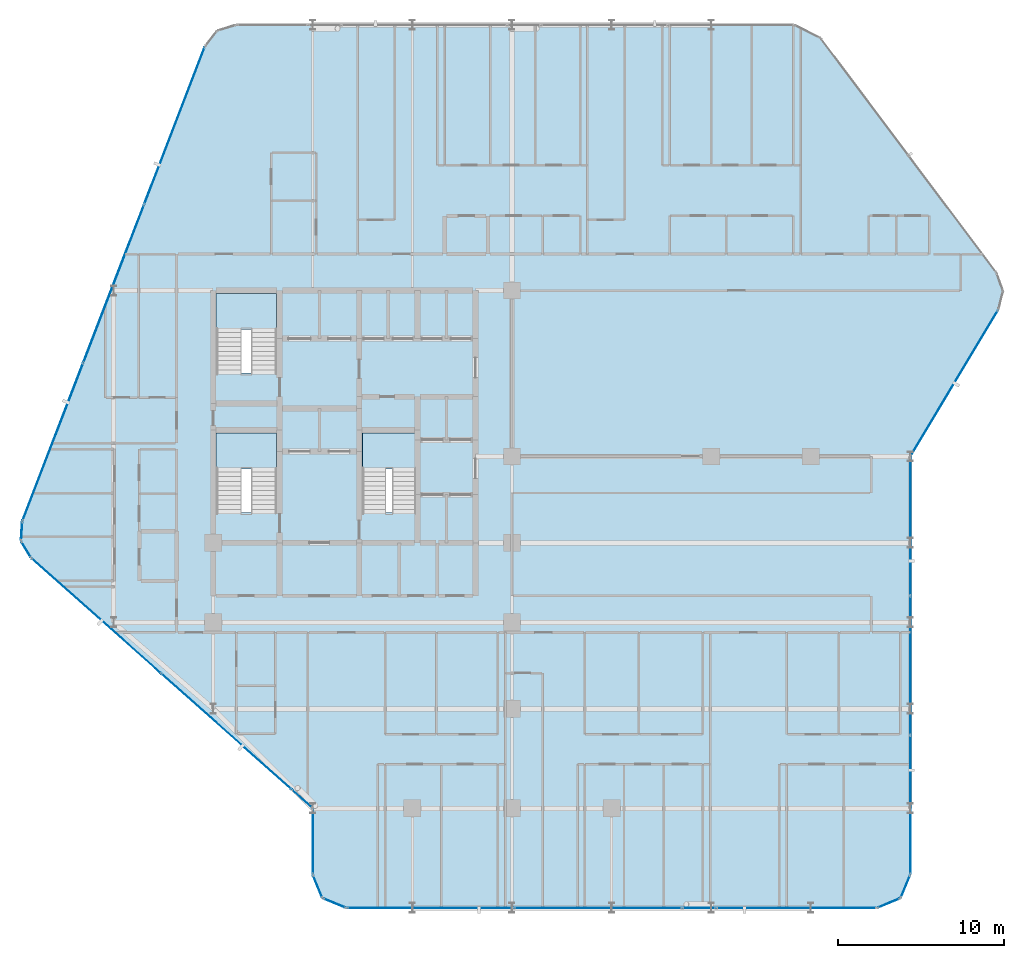
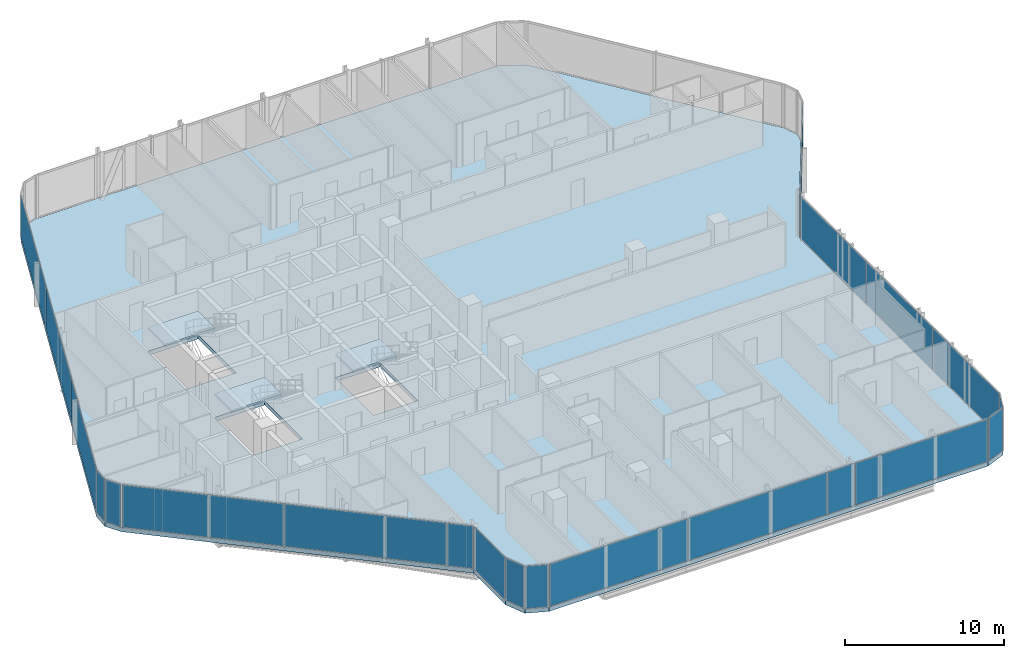
# One storey, part 21 of 29: 21 plates, 4 slabs, 18 elements without a shape of their own.
"""IFC4 building model written with IfcOpenShell, lengths in metres."""

from ifc_helpers import new_model, si_unit, direction, frame, origin, origin_2d, place, context, subcontext, project, spatial, polyline, rectangle, outline, extrude, material, layer, layer_set, type_object, element, aggregate, save


model = new_model("IFC4")

# Units and contexts
model_context = context("Model", 3, precision=1e-05, world=origin(), true_north=direction((0.0, 1.0)))
body_context = subcontext(model_context, "Body", "Model", "MODEL_VIEW")
ifc_project = project(units=[si_unit("LENGTHUNIT", "METRE"), si_unit("AREAUNIT", "SQUARE_METRE"), si_unit("VOLUMEUNIT", "CUBIC_METRE"), si_unit("PLANEANGLEUNIT", "RADIAN"), si_unit("MASSUNIT", "GRAM", prefix="KILO")], contexts=[model_context])

# Site, building, storey
site_placement = place(None, origin())
site = spatial("IfcSite", under=ifc_project, at=site_placement, CompositionType="ELEMENT")
building_placement = place(site_placement, origin())
building = spatial("IfcBuilding", under=site, at=building_placement, Name="Keshet Zoharim Tower", CompositionType="ELEMENT")
storey_placement = place(building_placement, frame((0.0, 0.0, 94.60009765625)))
storey = spatial("IfcBuildingStorey", under=building, at=storey_placement, Name="L22", CompositionType="ELEMENT", Elevation=94.60009765625)

# Curtain wall, plate
ifc_material_1 = material(Name="Aluminium 6063-T6", Category="aluminium")
ifc_layer_1 = layer(ifc_material_1, 0.159912109375)
ifc_layer_set_1 = layer_set([ifc_layer_1], Name="Aluminium 6063-T6")
curtain_wall_type = type_object("IfcCurtainWallType", Name="CW-SYS-03", PredefinedType="NOTDEFINED", material=ifc_layer_set_1)
curtain_wall_1_placement = place(storey_placement, origin())
curtain_wall_1 = element("IfcCurtainWall", 1, at=curtain_wall_1_placement, inside=storey, type_object=curtain_wall_type, Name="L22 Unitised Curtain Wall 01", PredefinedType="NOTDEFINED")
ifc_material_2 = material(Name="Insulated Low-E Clear Glass", Category="glass")
ifc_layer_2 = layer(ifc_material_2, 0.035888671875)
ifc_layer_set_2 = layer_set([ifc_layer_2], Name="Insulated Low-E Clear Glass")
plate_type_1 = type_object("IfcPlateType", Name="CWP-01", PredefinedType="CURTAIN_PANEL", material=ifc_layer_set_2)
plate_1_placement = place(storey_placement, frame((56.70703125, 1.992919921875, 0.06982421875), z_axis=(0.0, 0.0, 1.0), x_axis=(-0.382851849847, -0.92380975372, 0.0)))
plate_1 = element("IfcPlate", 2, at=plate_1_placement, type_object=plate_type_1, Name="CW-03 panel 1.1", PredefinedType="CURTAIN_PANEL", context=body_context, shape_type="SweptSolid", body=[
    extrude(rectangle(XDim=1.390625, YDim=0.035888671875, at=origin_2d()), origin(), (0.0, 0.0, 1.0), 3.2451171875),
])
aggregate(curtain_wall_1, [plate_1])

curtain_wall_2_placement = place(storey_placement, origin())
curtain_wall_2 = element("IfcCurtainWall", 3, at=curtain_wall_2_placement, inside=storey, type_object=curtain_wall_type, Name="L22 Unitised Curtain Wall 02", PredefinedType="NOTDEFINED")
plate_2_placement = place(storey_placement, frame((55.70703125, 0.992919921875, 0.06982421875), z_axis=(0.0, 0.0, 1.0), x_axis=(-0.92380975372, -0.382851849847, 0.0)))
plate_2 = element("IfcPlate", 4, at=plate_2_placement, type_object=plate_type_1, Name="CW-03 panel 1.1", PredefinedType="CURTAIN_PANEL", context=body_context, shape_type="SweptSolid", body=[
    extrude(rectangle(XDim=1.390625, YDim=0.035888671875, at=origin_2d()), origin(), (0.0, 0.0, 1.0), 3.2451171875),
])
aggregate(curtain_wall_2, [plate_2])

curtain_wall_3_placement = place(storey_placement, origin())
curtain_wall_3 = element("IfcCurtainWall", 5, at=curtain_wall_3_placement, inside=storey, type_object=curtain_wall_type, Name="L22 Unitised Curtain Wall 03", PredefinedType="NOTDEFINED")
plate_3_placement = place(storey_placement, frame((50.13134765625, 0.699951171875, 0.06982421875), z_axis=(0.0, 0.0, 1.0), x_axis=(-1.0, 0.0, 0.0)))
plate_3 = element("IfcPlate", 6, at=plate_3_placement, type_object=plate_type_1, Name="CW-03 panel 1.1", PredefinedType="CURTAIN_PANEL", context=body_context, shape_type="SweptSolid", body=[
    extrude(rectangle(XDim=9.597412109375, YDim=0.035888671875, at=origin_2d()), origin(), (0.0, 0.0, 1.0), 3.2451171875),
])
aggregate(curtain_wall_3, [plate_3])

# Curtain wall, plates
curtain_wall_4_placement = place(storey_placement, origin())
curtain_wall_4 = element("IfcCurtainWall", 7, at=curtain_wall_4_placement, inside=storey, type_object=curtain_wall_type, Name="L22 Unitised Curtain Wall 03 Part 3", PredefinedType="NOTDEFINED")
plate_4_placement = place(storey_placement, frame((38.195556640625, 0.699951171875, 0.06982421875), z_axis=(0.0, 0.0, 1.0), x_axis=(-1.0, 0.0, 0.0)))
plate_4 = element("IfcPlate", 8, at=plate_4_placement, type_object=plate_type_1, Name="CW-03 panel 1.1", PredefinedType="CURTAIN_PANEL", context=body_context, shape_type="SweptSolid", body=[
    extrude(rectangle(XDim=10.083740234375, YDim=0.035888671875, at=origin_2d()), origin(), (0.0, 0.0, 1.0), 3.2451171875),
])
plate_5_placement = place(storey_placement, frame((28.076904296875, 0.699951171875, 0.06982421875), z_axis=(0.0, 0.0, 1.0), x_axis=(-1.0, 0.0, 0.0)))
plate_5 = element("IfcPlate", 9, at=plate_5_placement, type_object=plate_type_1, Name="CW-03 panel 2.1", PredefinedType="CURTAIN_PANEL", context=body_context, shape_type="SweptSolid", body=[
    extrude(rectangle(XDim=10.013671875, YDim=0.035888671875, at=origin_2d()), origin(), (0.0, 0.0, 1.0), 3.2451171875),
])
aggregate(curtain_wall_4, [plate_4, plate_5])

# Curtain wall, plate
curtain_wall_5_placement = place(storey_placement, origin())
curtain_wall_5 = element("IfcCurtainWall", 10, at=curtain_wall_5_placement, inside=storey, type_object=curtain_wall_type, Name="L22 Unitised Curtain Wall 04", PredefinedType="NOTDEFINED")
plate_6_placement = place(storey_placement, frame((22.29296875, 0.992919921875, 0.06982421875), z_axis=(0.0, 0.0, 1.0), x_axis=(-0.92380975372, 0.382851849847, 0.0)))
plate_6 = element("IfcPlate", 11, at=plate_6_placement, type_object=plate_type_1, Name="CW-03 panel 1.1", PredefinedType="CURTAIN_PANEL", context=body_context, shape_type="SweptSolid", body=[
    extrude(rectangle(XDim=1.390625, YDim=0.035888671875, at=origin_2d()), origin(), (0.0, 0.0, 1.0), 3.2451171875),
])
aggregate(curtain_wall_5, [plate_6])

curtain_wall_6_placement = place(storey_placement, origin())
curtain_wall_6 = element("IfcCurtainWall", 12, at=curtain_wall_6_placement, inside=storey, type_object=curtain_wall_type, Name="L22 Unitised Curtain Wall 05", PredefinedType="NOTDEFINED")
plate_7_placement = place(storey_placement, frame((21.29296875, 1.992919921875, 0.06982421875), z_axis=(0.0, 0.0, 1.0), x_axis=(-0.382851849847, 0.92380975372, 0.0)))
plate_7 = element("IfcPlate", 13, at=plate_7_placement, type_object=plate_type_1, Name="CW-03 panel 1.1", PredefinedType="CURTAIN_PANEL", context=body_context, shape_type="SweptSolid", body=[
    extrude(rectangle(XDim=1.390625, YDim=0.035888671875, at=origin_2d()), origin(), (0.0, 0.0, 1.0), 3.2451171875),
])
aggregate(curtain_wall_6, [plate_7])

curtain_wall_7_placement = place(storey_placement, origin())
curtain_wall_7 = element("IfcCurtainWall", 14, at=curtain_wall_7_placement, inside=storey, type_object=curtain_wall_type, Name="L22 Unitised Curtain Wall 06", PredefinedType="NOTDEFINED")
plate_8_placement = place(storey_placement, frame((21.0, 4.699951171875, 0.06982421875), z_axis=(0.0, 0.0, 1.0), x_axis=(0.0, 1.0, 0.0)))
plate_8 = element("IfcPlate", 15, at=plate_8_placement, type_object=plate_type_1, Name="CW-03 panel 1.1", PredefinedType="CURTAIN_PANEL", context=body_context, shape_type="SweptSolid", body=[
    extrude(rectangle(XDim=3.860107421875, YDim=0.035888671875, at=origin_2d()), origin(), (0.0, 0.0, 1.0), 3.2451171875),
])
aggregate(curtain_wall_7, [plate_8])

# Curtain wall, plates
curtain_wall_8_placement = place(storey_placement, origin())
curtain_wall_8 = element("IfcCurtainWall", 16, at=curtain_wall_8_placement, inside=storey, type_object=curtain_wall_type, Name="L22 Unitised Curtain Wall 07 Part 2", PredefinedType="NOTDEFINED")
plate_9_placement = place(storey_placement, frame((15.78515625, 11.33544921875, 0.06982421875), z_axis=(0.0, 0.0, 1.0), x_axis=(-0.747409055186, 0.664364135264, 0.0)))
plate_9 = element("IfcPlate", 17, at=plate_9_placement, type_object=plate_type_1, Name="CW-03 panel 1.1", PredefinedType="CURTAIN_PANEL", context=body_context, shape_type="SweptSolid", body=[
    extrude(rectangle(XDim=10.43408203125, YDim=0.035888671875, at=origin_2d()), origin(), (0.0, 0.0, 1.0), 3.2451171875),
])
plate_10_placement = place(storey_placement, frame((7.96044921875, 18.290771484375, 0.06982421875), z_axis=(0.0, 0.0, 1.0), x_axis=(-0.747409055186, 0.664364135264, 0.0)))
plate_10 = element("IfcPlate", 18, at=plate_10_placement, type_object=plate_type_1, Name="CW-03 panel 2.1", PredefinedType="CURTAIN_PANEL", context=body_context, shape_type="SweptSolid", body=[
    extrude(rectangle(XDim=10.364013671875, YDim=0.035888671875, at=origin_2d()), origin(), (0.0, 0.0, 1.0), 3.2451171875),
])
aggregate(curtain_wall_8, [plate_9, plate_10])

# Curtain wall, plate
curtain_wall_9_placement = place(storey_placement, origin())
curtain_wall_9 = element("IfcCurtainWall", 19, at=curtain_wall_9_placement, inside=storey, type_object=curtain_wall_type, Name="L22 Unitised Curtain Wall 08", PredefinedType="NOTDEFINED")
plate_11_placement = place(storey_placement, frame((3.7275390625, 22.291015625, 0.06982421875), z_axis=(0.0, 0.0, 1.0), x_axis=(-0.515604947933, 0.856826433805, 0.0)))
plate_11 = element("IfcPlate", 20, at=plate_11_placement, type_object=plate_type_1, Name="CW-03 panel 1.1", PredefinedType="CURTAIN_PANEL", context=body_context, shape_type="SweptSolid", body=[
    extrude(rectangle(XDim=1.052734375, YDim=0.035888671875, at=origin_2d()), origin(), (0.0, 0.0, 1.0), 3.2451171875),
])
aggregate(curtain_wall_9, [plate_11])

curtain_wall_10_placement = place(storey_placement, origin())
curtain_wall_10 = element("IfcCurtainWall", 21, at=curtain_wall_10_placement, inside=storey, type_object=curtain_wall_type, Name="L22 Unitised Curtain Wall 09", PredefinedType="NOTDEFINED")
plate_12_placement = place(storey_placement, frame((3.45849609375, 23.3974609375, 0.06982421875), z_axis=(0.0, 0.0, 1.0), x_axis=(0.064516859374, 0.997916617186, 0.0)))
plate_12 = element("IfcPlate", 22, at=plate_12_placement, type_object=plate_type_1, Name="CW-03 panel 1.1", PredefinedType="CURTAIN_PANEL", context=body_context, shape_type="SweptSolid", body=[
    extrude(rectangle(XDim=1.053466796875, YDim=0.035888671875, at=origin_2d()), origin(), (0.0, 0.0, 1.0), 3.2451171875),
])
aggregate(curtain_wall_10, [plate_12])

# Curtain wall, plates
curtain_wall_11_placement = place(storey_placement, origin())
curtain_wall_11 = element("IfcCurtainWall", 23, at=curtain_wall_11_placement, inside=storey, type_object=curtain_wall_type, Name="L22 Unitised Curtain Wall 10", PredefinedType="NOTDEFINED")
plate_13_placement = place(storey_placement, frame((5.33837890625, 28.7802734375, 0.06982421875), z_axis=(0.0, 0.0, 1.0), x_axis=(0.358990003907, 0.933341404361, 0.0)))
plate_13 = element("IfcPlate", 24, at=plate_13_placement, type_object=plate_type_1, Name="CW-03 panel 1.1", PredefinedType="CURTAIN_PANEL", context=body_context, shape_type="SweptSolid", body=[
    extrude(rectangle(XDim=10.1181640625, YDim=0.035888671875, at=origin_2d()), origin(), (0.0, 0.0, 1.0), 3.2451171875),
])
plate_14_placement = place(storey_placement, frame((9.001953125, 38.305419921875, 0.06982421875), z_axis=(0.0, 0.0, 1.0), x_axis=(0.358990003907, 0.933341404361, 0.0)))
plate_14 = element("IfcPlate", 25, at=plate_14_placement, type_object=plate_type_1, Name="CW-03 panel 2.1", PredefinedType="CURTAIN_PANEL", context=body_context, shape_type="SweptSolid", body=[
    extrude(rectangle(XDim=10.153076171875, YDim=0.035888671875, at=origin_2d()), origin(), (0.0, 0.0, 1.0), 3.2451171875),
])
plate_15_placement = place(storey_placement, frame((12.665771484375, 47.830810546875, 0.06982421875), z_axis=(0.0, 0.0, 1.0), x_axis=(0.358990003907, 0.933341404361, 0.0)))
plate_15 = element("IfcPlate", 26, at=plate_15_placement, type_object=plate_type_1, Name="CW-03 panel 3.1", PredefinedType="CURTAIN_PANEL", context=body_context, shape_type="SweptSolid", body=[
    extrude(rectangle(XDim=10.1181640625, YDim=0.035888671875, at=origin_2d()), origin(), (0.0, 0.0, 1.0), 3.2451171875),
])
aggregate(curtain_wall_11, [plate_13, plate_14, plate_15])

# Curtain wall, plate
curtain_wall_12_placement = place(storey_placement, origin())
curtain_wall_12 = element("IfcCurtainWall", 27, at=curtain_wall_12_placement, inside=storey, type_object=curtain_wall_type, Name="L22 Unitised Curtain Wall 18", PredefinedType="NOTDEFINED")
plate_16_placement = place(storey_placement, frame((59.654052734375, 32.323486328125, 0.06982421875), z_axis=(0.0, 0.0, 1.0), x_axis=(-0.514481501576, -0.857501477862, 0.0)))
plate_16 = element("IfcPlate", 28, at=plate_16_placement, type_object=plate_type_1, Name="CW-03 panel 1.1", PredefinedType="CURTAIN_PANEL", context=body_context, shape_type="SweptSolid", body=[
    extrude(rectangle(XDim=10.17724609375, YDim=0.035888671875, at=origin_2d()), origin(), (0.0, 0.0, 1.0), 3.2451171875),
])
aggregate(curtain_wall_12, [plate_16])

# Curtain wall, plates
curtain_wall_13_placement = place(storey_placement, origin())
curtain_wall_13 = element("IfcCurtainWall", 29, at=curtain_wall_13_placement, inside=storey, type_object=curtain_wall_type, Name="L22 Unitised Curtain Wall 19", PredefinedType="NOTDEFINED")
ifc_layer_3 = layer(ifc_material_2, 0.031982421875)
ifc_layer_set_3 = layer_set([ifc_layer_3], Name="Insulated Low-E Clear Glass")
plate_type_2 = type_object("IfcPlateType", Name="CWP-02", PredefinedType="CURTAIN_PANEL", material=ifc_layer_set_3)
plate_17_placement = place(storey_placement, frame((57.0, 23.6826171875, 0.06982421875), z_axis=(0.0, 0.0, 1.0), x_axis=(0.0, -1.0, 0.0)))
plate_17 = element("IfcPlate", 30, at=plate_17_placement, type_object=plate_type_2, Name="CW-03 panel 1.1", PredefinedType="CURTAIN_PANEL", context=body_context, shape_type="SweptSolid", body=[
    extrude(rectangle(XDim=8.294921875, YDim=0.031982421875, at=origin_2d()), origin(), (0.0, 0.0, 1.0), 3.2451171875),
])
plate_18_placement = place(storey_placement, frame((57.0, 15.300048828125, 0.06982421875), z_axis=(0.0, 0.0, 1.0), x_axis=(0.0, -1.0, 0.0)))
plate_18 = element("IfcPlate", 31, at=plate_18_placement, type_object=plate_type_2, Name="CW-03 panel 2.1", PredefinedType="CURTAIN_PANEL", context=body_context, shape_type="SweptSolid", body=[
    extrude(rectangle(XDim=8.330078125, YDim=0.031982421875, at=origin_2d()), origin(), (0.0, 0.0, 1.0), 3.2451171875),
])
plate_19_placement = place(storey_placement, frame((57.0, 6.91748046875, 0.06982421875), z_axis=(0.0, 0.0, 1.0), x_axis=(0.0, -1.0, 0.0)))
plate_19 = element("IfcPlate", 32, at=plate_19_placement, type_object=plate_type_2, Name="CW-03 panel 3.1", PredefinedType="CURTAIN_PANEL", context=body_context, shape_type="SweptSolid", body=[
    extrude(rectangle(XDim=8.294921875, YDim=0.031982421875, at=origin_2d()), origin(), (0.0, 0.0, 1.0), 3.2451171875),
])
aggregate(curtain_wall_13, [plate_17, plate_18, plate_19])

# Curtain wall, plate
curtain_wall_14_placement = place(storey_placement, origin())
curtain_wall_14 = element("IfcCurtainWall", 33, at=curtain_wall_14_placement, inside=storey, type_object=curtain_wall_type, Name="L22 Unitised Curtain Wall 03 Part 2", PredefinedType="NOTDEFINED")
ifc_material_3 = material(Name="Insulated Aluminium Spandrel Panel", Category="aluminium")
ifc_layer_4 = layer(ifc_material_3, 0.035888671875)
ifc_layer_set_4 = layer_set([ifc_layer_4], Name="Insulated Aluminium Spandrel Panel")
plate_type_3 = type_object("IfcPlateType", Name="CWP-04", PredefinedType="CURTAIN_PANEL", material=ifc_layer_set_4)
plate_20_placement = place(storey_placement, frame((44.284912109375, 0.699951171875, 0.06982421875), z_axis=(0.0, 0.0, 1.0), x_axis=(-1.0, 0.0, 0.0)))
plate_20 = element("IfcPlate", 34, at=plate_20_placement, type_object=plate_type_3, Name="CW-03 spandrel panel 1.1", PredefinedType="CURTAIN_PANEL", context=body_context, shape_type="SweptSolid", body=[
    extrude(rectangle(XDim=1.955078125, YDim=0.035888671875, at=origin_2d()), origin(), (0.0, 0.0, 1.0), 3.2451171875),
])
aggregate(curtain_wall_14, [plate_20])

curtain_wall_15_placement = place(storey_placement, origin())
curtain_wall_15 = element("IfcCurtainWall", 35, at=curtain_wall_15_placement, inside=storey, type_object=curtain_wall_type, Name="L22 Unitised Curtain Wall 07", PredefinedType="NOTDEFINED")
plate_21_placement = place(storey_placement, frame((20.342041015625, 7.28466796875, 0.06982421875), z_axis=(0.0, 0.0, 1.0), x_axis=(-0.747412452867, 0.664360312857, 0.0)))
plate_21 = element("IfcPlate", 36, at=plate_21_placement, type_object=plate_type_3, Name="CW-03 spandrel panel 1.1", PredefinedType="CURTAIN_PANEL", context=body_context, shape_type="SweptSolid", body=[
    extrude(rectangle(XDim=1.620361328125, YDim=0.035888671875, at=origin_2d()), origin(), (0.0, 0.0, 1.0), 3.2451171875),
])
aggregate(curtain_wall_15, [plate_21])

# Stair, slab
ifc_material_4 = material(Name="Concrete C50/60", Category="concrete")
stair_type = type_object("IfcStairType", Name="STR-EXIT-135", PredefinedType="HALF_TURN_STAIR", material=ifc_material_4)
stair_1_placement = place(storey_placement, origin())
stair_1 = element("IfcStair", 37, at=stair_1_placement, inside=storey, type_object=stair_type, Name="L22 Enclosed Exit Stair ST-01", PredefinedType="HALF_TURN_STAIR")
ifc_layer_5 = layer(ifc_material_4, 0.199951171875)
ifc_layer_set_5 = layer_set([ifc_layer_5], Name="Concrete C50/60")
slab_type_1 = type_object("IfcSlabType", Name="SLB-LND-200", PredefinedType="LANDING", material=ifc_layer_set_5)
slab_1_placement = place(storey_placement, frame((0.0, 0.0, 1.64990234375)))
slab_1 = element("IfcSlab", 38, at=slab_1_placement, type_object=slab_type_1, Name="ST-01 landing 1", PredefinedType="LANDING", context=body_context, shape_type="SweptSolid", body=[
    extrude(outline(polyline([(15.179931640625, 27.159912109375), (18.820068359375, 27.159912109375), (18.820068359375, 29.320068359375), (15.179931640625, 29.320068359375), (15.179931640625, 27.159912109375)])), origin(), (0.0, 0.0, 1.0), 0.199951171875),
])
aggregate(stair_1, [slab_1])

stair_2_placement = place(storey_placement, origin())
stair_2 = element("IfcStair", 39, at=stair_2_placement, inside=storey, type_object=stair_type, Name="L22 Enclosed Exit Stair ST-02", PredefinedType="HALF_TURN_STAIR")
slab_2_placement = place(storey_placement, frame((0.0, 0.0, 1.64990234375)))
slab_2 = element("IfcSlab", 40, at=slab_2_placement, type_object=slab_type_1, Name="ST-02 landing 1", PredefinedType="LANDING", context=body_context, shape_type="SweptSolid", body=[
    extrude(outline(polyline([(15.179931640625, 35.56005859375), (18.820068359375, 35.56005859375), (18.820068359375, 37.719970703125), (15.179931640625, 37.719970703125), (15.179931640625, 35.56005859375)])), origin(), (0.0, 0.0, 1.0), 0.199951171875),
])
aggregate(stair_2, [slab_2])

stair_3_placement = place(storey_placement, origin())
stair_3 = element("IfcStair", 41, at=stair_3_placement, inside=storey, type_object=stair_type, Name="L22 Enclosed Exit Stair ST-03", PredefinedType="HALF_TURN_STAIR")
slab_3_placement = place(storey_placement, frame((0.0, 0.0, 1.64990234375)))
slab_3 = element("IfcSlab", 42, at=slab_3_placement, type_object=slab_type_1, Name="ST-03 landing 1", PredefinedType="LANDING", context=body_context, shape_type="SweptSolid", body=[
    extrude(outline(polyline([(23.97998046875, 27.159912109375), (27.219970703125, 27.159912109375), (27.219970703125, 29.320068359375), (23.97998046875, 29.320068359375), (23.97998046875, 27.159912109375)])), origin(), (0.0, 0.0, 1.0), 0.199951171875),
])
aggregate(stair_3, [slab_3])

# Slab
ifc_layer_6 = layer(ifc_material_4, 0.31494140625)
ifc_layer_set_6 = layer_set([ifc_layer_6], Name="Concrete C50/60")
slab_type_2 = type_object("IfcSlabType", Name="SLB-LOW-260", PredefinedType="FLOOR", material=ifc_layer_set_6)
slab_4_placement = place(storey_placement, frame((0.0, 0.0, -0.315185546875)))
element("IfcSlab", 43, at=slab_4_placement, inside=storey, type_object=slab_type_2, Name="L22 Structural Floor Slab 1", PredefinedType="FLOOR", context=body_context, shape_type="SweptSolid", body=[
    extrude(outline(polyline([(57.0, 2.699951171875), (56.4140625, 1.285888671875), (55.0, 0.699951171875), (23.0, 0.699951171875), (21.5859375, 1.285888671875), (21.0, 2.699951171875), (21.0, 6.699951171875), (4.034912109375, 21.780029296875), (3.419921875, 22.802001953125), (3.4970703125, 23.992919921875), (14.507080078125, 52.617919921875), (15.240966796875, 53.549072265625), (16.3740234375, 53.89990234375), (50.0, 53.89990234375), (51.60009765625, 53.10009765625), (62.193115234375, 38.97607421875), (62.590087890625, 37.87890625), (62.30810546875, 36.7470703125), (57.0, 27.89990234375), (57.0, 2.699951171875)]), holes=[polyline([(15.179931640625, 24.52001953125), (18.820068359375, 24.52001953125), (18.820068359375, 29.320068359375), (15.179931640625, 29.320068359375), (15.179931640625, 24.52001953125)]), polyline([(15.179931640625, 32.919921875), (18.820068359375, 32.919921875), (18.820068359375, 37.719970703125), (15.179931640625, 37.719970703125), (15.179931640625, 32.919921875)]), polyline([(23.97998046875, 24.52001953125), (27.219970703125, 24.52001953125), (27.219970703125, 29.320068359375), (23.97998046875, 29.320068359375), (23.97998046875, 24.52001953125)])]), origin(), (0.0, 0.0, 1.0), 0.315185546875),
])

save(model, "model.ifc")
